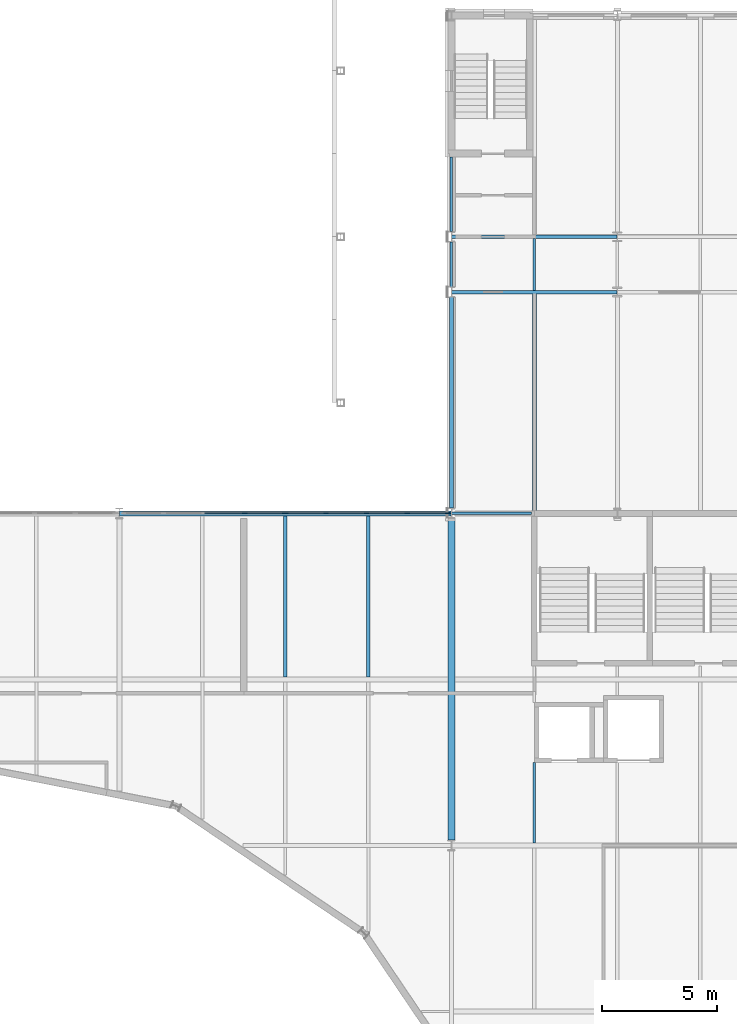
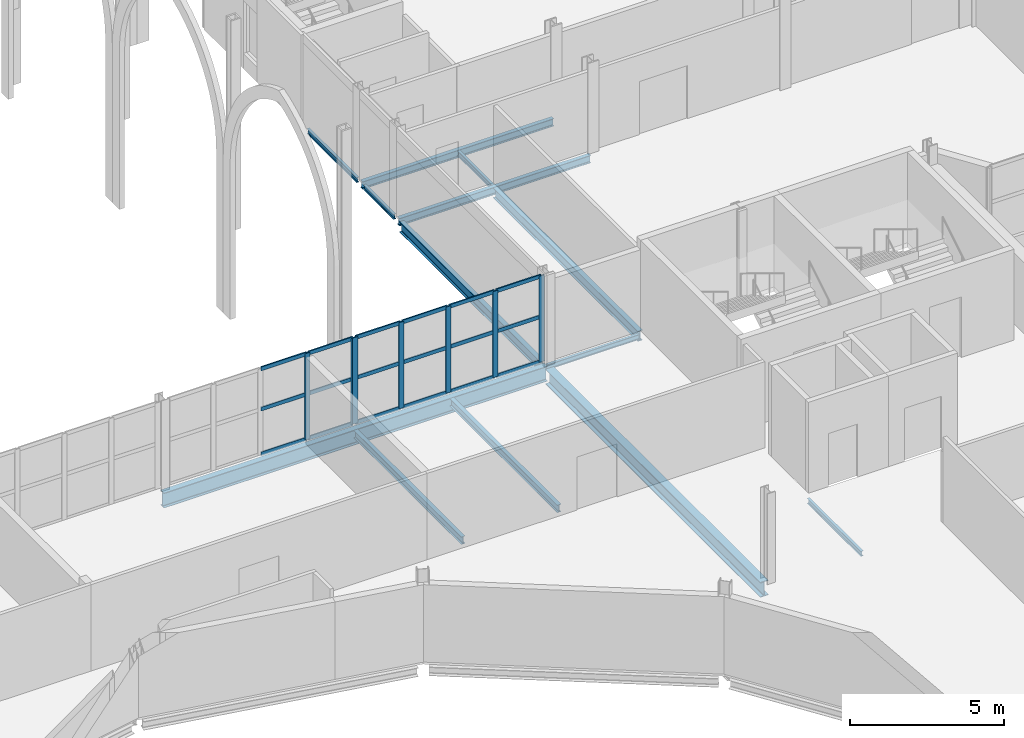
# One storey, part 44 of 124: 25 members, 13 beams, 2 elements without a shape of their own.
"""IFC4 building model written with IfcOpenShell, lengths in metres."""

import ifcopenshell
import ifcopenshell.guid

model = None  # the IFC model being written
_history = None  # IfcOwnerHistory: only IFC2X3 demands one
_inside = {}  # id of a spatial element -> (the spatial element, [elements in it])
_under = {}  # id of a project, library or spatial element -> (it, [spatial elements below it])
_declared = {}  # id of a project -> (the project, [libraries it declares])
_typed = {}  # id of a type object -> (the type object, [elements of that type])
_made_of = {}  # id of a material, layer set ... -> (it, [elements and type objects made of it])


def new_model(schema):
    """Start an empty IFC model of exactly this schema.

    Asked for "IFC4X3", IfcOpenShell would pick the latest addendum, in which some entities
    have other attributes; the version numbers below select the first issue.
    IFC2X3 requires an IfcOwnerHistory on every rooted entity: one is made here for all.
    """
    global model, _history
    if schema == "IFC4X3":
        model = ifcopenshell.file(schema_version=(4, 3, 0, 0))
    else:
        model = ifcopenshell.file(schema=schema)
    _inside.clear()
    _under.clear()
    _declared.clear()
    _typed.clear()
    _made_of.clear()
    _history = None
    if model.schema == "IFC2X3":
        org = make("IfcOrganization", Name="unknown")
        user = make(
            "IfcPersonAndOrganization",
            ThePerson=make("IfcPerson", FamilyName="unknown"),
            TheOrganization=org,
        )
        app = make(
            "IfcApplication",
            ApplicationDeveloper=org,
            Version="unknown",
            ApplicationFullName="unknown",
            ApplicationIdentifier="unknown",
        )
        _history = make(
            "IfcOwnerHistory",
            OwningUser=user,
            OwningApplication=app,
            ChangeAction="ADDED",
            CreationDate=0,
        )
    return model


def make(cls, **values):
    """One entity of the class cls with the attributes given. An attribute that is None is left unset."""
    return model.create_entity(
        cls, **{name: value for name, value in values.items() if value is not None}
    )


def rooted(cls, **values):
    """An entity with a GlobalId (a new one), such as an element, a storey or a relation."""
    return make(cls, GlobalId=ifcopenshell.guid.new(), OwnerHistory=_history, **values)


def si_unit(unit_type, name, prefix=None):
    """IfcSIUnit, for example si_unit("LENGTHUNIT", "METRE", prefix="MILLI")."""
    return make("IfcSIUnit", UnitType=unit_type, Prefix=prefix, Name=name)


def assignment(units):
    """IfcUnitAssignment: the units of a project."""
    return None if units is None else make("IfcUnitAssignment", Units=units)


def point(xyz):
    """IfcCartesianPoint."""
    return None if xyz is None else make("IfcCartesianPoint", Coordinates=xyz)


def direction(xyz):
    """IfcDirection."""
    return None if xyz is None else make("IfcDirection", DirectionRatios=xyz)


def frame(location, z_axis=None, x_axis=None):
    """IfcAxis2Placement3D, a coordinate frame: its origin and axes. An axis left out is left unset."""
    return make(
        "IfcAxis2Placement3D",
        Location=point(location),
        Axis=direction(z_axis),
        RefDirection=direction(x_axis),
    )


def frame_2d(location, x_axis=None):
    """IfcAxis2Placement2D, a coordinate frame in the plane: its origin and x axis."""
    return make(
        "IfcAxis2Placement2D", Location=point(location), RefDirection=direction(x_axis)
    )


def origin():
    """The frame at (0, 0, 0) with its axes left unset."""
    return frame((0.0, 0.0, 0.0))


def origin_2d():
    """The frame at (0, 0) in the plane with its x axis left unset."""
    return frame_2d((0.0, 0.0))


def place(relative_to, where):
    """IfcLocalPlacement: puts the frame where relative to a parent placement (None: the world)."""
    return make(
        "IfcLocalPlacement", PlacementRelTo=relative_to, RelativePlacement=where
    )


def context(
    kind, dimensions, precision=None, world=None, true_north=None, identifier=None
):
    """IfcGeometricRepresentationContext, for example the 3D "Model" context."""
    return make(
        "IfcGeometricRepresentationContext",
        ContextIdentifier=identifier,
        ContextType=kind,
        CoordinateSpaceDimension=dimensions,
        Precision=precision,
        WorldCoordinateSystem=world,
        TrueNorth=true_north,
    )


def subcontext(parent, identifier, kind, view, scale=None):
    """IfcGeometricRepresentationSubContext, for example "Body" below "Model"."""
    return make(
        "IfcGeometricRepresentationSubContext",
        ContextIdentifier=identifier,
        ContextType=kind,
        ParentContext=parent,
        TargetScale=scale,
        TargetView=view,
    )


def project(units=None, contexts=None):
    """IfcProject with its units and contexts."""
    return rooted(
        "IfcProject",
        Name="project",
        RepresentationContexts=contexts,
        UnitsInContext=assignment(units),
    )


def spatial(cls, under=None, at=None, **own):
    """A site, building, storey or space (cls), placed at a placement, below another one or the project."""
    s = rooted(cls, ObjectPlacement=at, **own)
    if under is not None:
        _under.setdefault(under.id(), (under, []))[1].append(s)
    return s


def profile(cls, at=None, kind="AREA", **sizes):
    """A parametric profile (cls). Its sizes go by their IFC names, for example OverallWidth=200.0."""
    return make(cls, ProfileType=kind, Position=at, **sizes)


def rectangle(**sizes):
    """IfcRectangleProfileDef."""
    return profile("IfcRectangleProfileDef", **sizes)


def i_section(**sizes):
    """IfcIShapeProfileDef."""
    return profile("IfcIShapeProfileDef", **sizes)


def extrude(swept, where, along, depth):
    """IfcExtrudedAreaSolid: the profile swept, set in the frame where, extruded along a direction by depth."""
    return make(
        "IfcExtrudedAreaSolid",
        SweptArea=swept,
        Position=where,
        ExtrudedDirection=direction(along),
        Depth=depth,
    )


def shape(context_of_items, identifier, shape_type, items):
    """IfcShapeRepresentation: the items that make up one representation, for example the "Body"."""
    return make(
        "IfcShapeRepresentation",
        ContextOfItems=context_of_items,
        RepresentationIdentifier=identifier,
        RepresentationType=shape_type,
        Items=items,
    )


def material(Name=None, Category=None):
    """IfcMaterial."""
    return make("IfcMaterial", Name=Name, Category=Category)


def material_profile(
    of_material, cross_section, Name=None, Category=None, Priority=None
):
    """IfcMaterialProfile: a cross section and its material."""
    return make(
        "IfcMaterialProfile",
        Name=Name,
        Material=of_material,
        Profile=cross_section,
        Priority=Priority,
        Category=Category,
    )


def profile_set(profiles, Name=None, composite=None):
    """IfcMaterialProfileSet."""
    return make(
        "IfcMaterialProfileSet",
        Name=Name,
        MaterialProfiles=profiles,
        CompositeProfile=composite,
    )


def made_of(thing, what):
    """Note that an element or type object is made of a material, layer set ...; save() writes the relation."""
    if what is not None:
        _made_of.setdefault(what.id(), (what, []))[1].append(thing)
    return thing


def type_object(cls, material=None, **own):
    """A type object (cls), such as IfcWallType, which elements share."""
    return made_of(rooted(cls, **own), material)


def element(
    cls,
    number,
    at=None,
    inside=None,
    cuts=None,
    type_object=None,
    material=None,
    context=None,
    identifier="Body",
    shape_type=None,
    held_by="IfcProductDefinitionShape",
    body=None,
    shapes=None,
    **own,
):
    """One element of the class cls, such as IfcWall. Its Tag is "e" and its number.

    at: its placement. inside: the storey or other place that contains it. cuts: it is an
    opening in that element (IfcRelVoidsElement). A single representation is given by context,
    identifier, shape_type and body (its items); several are given by shapes. held_by: the class
    of the entity that holds the representations. save() writes the other relations.
    """
    e = rooted(cls, Tag="e%d" % number, ObjectPlacement=at, **own)
    if body is not None:
        shapes = [shape(context, identifier, shape_type, body)]
    if shapes is not None:
        e.Representation = make(held_by, Representations=shapes)
    if inside is not None:
        _inside.setdefault(inside.id(), (inside, []))[1].append(e)
    if cuts is not None:
        rooted(
            "IfcRelVoidsElement", RelatingBuildingElement=cuts, RelatedOpeningElement=e
        )
    if type_object is not None:
        _typed.setdefault(type_object.id(), (type_object, []))[1].append(e)
    return made_of(e, material)


def aggregate(whole, parts):
    """IfcRelAggregates: a whole, such as a stair, and the parts it consists of."""
    return rooted("IfcRelAggregates", RelatingObject=whole, RelatedObjects=parts)


def save(model, path):
    """Write the relations noted so far, then the file.

    IfcRelAggregates (storeys below a building ...), IfcRelContainedInSpatialStructure (elements
    in a storey), IfcRelDefinesByType, IfcRelAssociatesMaterial and IfcRelDeclares: one each for
    every whole, place, type object, material and project.
    """
    for whole, parts in _under.values():
        aggregate(whole, parts)
    for where, things in _inside.values():
        rooted(
            "IfcRelContainedInSpatialStructure",
            RelatedElements=things,
            RelatingStructure=where,
        )
    for kind, things in _typed.values():
        rooted("IfcRelDefinesByType", RelatedObjects=things, RelatingType=kind)
    for what, things in _made_of.values():
        rooted("IfcRelAssociatesMaterial", RelatedObjects=things, RelatingMaterial=what)
    for by, libraries in _declared.values():
        rooted("IfcRelDeclares", RelatingContext=by, RelatedDefinitions=libraries)
    model.write(path)


model = new_model("IFC4")

# Units and contexts
model_context = context("Model", 3, precision=1e-05, world=origin(), true_north=direction((0.0, 1.0)))
body_context = subcontext(model_context, "Body", "Model", "MODEL_VIEW")
ifc_project = project(units=[si_unit("LENGTHUNIT", "METRE"), si_unit("AREAUNIT", "SQUARE_METRE"), si_unit("VOLUMEUNIT", "CUBIC_METRE"), si_unit("PLANEANGLEUNIT", "RADIAN"), si_unit("MASSUNIT", "GRAM", prefix="KILO")], contexts=[model_context])

# Site, building, storey
site_placement = place(None, origin())
site = spatial("IfcSite", under=ifc_project, at=site_placement, CompositionType="ELEMENT")
building_placement = place(site_placement, origin())
building = spatial("IfcBuilding", under=site, at=building_placement, Name="Kupolbacken Congress Centre", CompositionType="ELEMENT")
storey_placement = place(building_placement, frame((0.0, 0.0, 10.800048828125)))
storey = spatial("IfcBuildingStorey", under=building, at=storey_placement, Name="L03", CompositionType="ELEMENT", Elevation=10.800048828125)

# Beams
ifc_material_1 = material(Name="Steel S355", Category="steel")
ifc_material_profile_1 = material_profile(ifc_material_1, i_section(OverallWidth=0.10009765625, OverallDepth=0.199951171875, WebThickness=0.005615234375, FlangeThickness=0.008544921875, FilletRadius=0.011962890625, at=origin_2d()), Name="IPE 200")
ifc_profile_set_1 = profile_set([ifc_material_profile_1], Name="Steel S355")
beam_type_1 = type_object("IfcBeamType", Name="B01 beam IPE 200", PredefinedType="BEAM", material=ifc_profile_set_1)
beam_1_placement = place(storey_placement, frame((64.806884765625, 122.39990234375, -0.280029296875), z_axis=(1.0, 0.0, 0.0), x_axis=(0.0, 1.0, 0.0)))
element("IfcBeam", 1, at=beam_1_placement, inside=storey, type_object=beam_type_1, Name="S/floor/P/L03/R074", PredefinedType="BEAM", context=body_context, shape_type="SweptSolid", body=[
    extrude(i_section(OverallWidth=0.10009765625, OverallDepth=0.199951171875, WebThickness=0.005615234375, FlangeThickness=0.008544921875, FilletRadius=0.011962890625, at=origin_2d()), origin(), (0.0, 0.0, 1.0), 3.468017578125),
])
beam_2_placement = place(storey_placement, frame((68.39990234375, 108.110107421875, -0.280029296875), z_axis=(0.0, 1.0, 0.0), x_axis=(-1.0, 0.0, 0.0)))
element("IfcBeam", 2, at=beam_2_placement, inside=storey, type_object=beam_type_1, Name="S/floor/P/L03/S174", PredefinedType="BEAM", context=body_context, shape_type="SweptSolid", body=[
    extrude(i_section(OverallWidth=0.10009765625, OverallDepth=0.199951171875, WebThickness=0.005615234375, FlangeThickness=0.008544921875, FilletRadius=0.011962890625, at=origin_2d()), origin(), (0.0, 0.0, 1.0), 3.489990234375),
])
beam_3_placement = place(storey_placement, frame((64.800048828125, 132.22509765625, -0.280029296875), z_axis=(0.0, 1.0, 0.0), x_axis=(-1.0, 0.0, 0.0)))
element("IfcBeam", 3, at=beam_3_placement, inside=storey, type_object=beam_type_1, Name="S/floor/T/L03/S032", PredefinedType="BEAM", context=body_context, shape_type="SweptSolid", body=[
    extrude(i_section(OverallWidth=0.10009765625, OverallDepth=0.199951171875, WebThickness=0.005615234375, FlangeThickness=0.008544921875, FilletRadius=0.011962890625, at=origin_2d()), origin(), (0.0, 0.0, 1.0), 1.949951171875),
])
beam_4_placement = place(storey_placement, frame((64.800048828125, 134.625, -0.280029296875), z_axis=(0.0, 1.0, 0.0), x_axis=(-1.0, 0.0, 0.0)))
element("IfcBeam", 4, at=beam_4_placement, inside=storey, type_object=beam_type_1, Name="S/floor/T/L03/S033", PredefinedType="BEAM", context=body_context, shape_type="SweptSolid", body=[
    extrude(i_section(OverallWidth=0.10009765625, OverallDepth=0.199951171875, WebThickness=0.005615234375, FlangeThickness=0.008544921875, FilletRadius=0.011962890625, at=origin_2d()), origin(), (0.0, 0.0, 1.0), 3.22509765625),
])
beam_5_placement = place(storey_placement, frame((68.39990234375, 132.074951171875, -0.280029296875), z_axis=(0.0, 1.0, 0.0), x_axis=(-1.0, 0.0, 0.0)))
element("IfcBeam", 5, at=beam_5_placement, inside=storey, type_object=beam_type_1, Name="S/floor/T/L03/S035", PredefinedType="BEAM", context=body_context, shape_type="SweptSolid", body=[
    extrude(i_section(OverallWidth=0.10009765625, OverallDepth=0.199951171875, WebThickness=0.005615234375, FlangeThickness=0.008544921875, FilletRadius=0.011962890625, at=origin_2d()), origin(), (0.0, 0.0, 1.0), 2.25),
])
ifc_material_2 = material(Name="Steel S355", Category="steel")
ifc_material_profile_2 = material_profile(ifc_material_2, i_section(OverallWidth=0.14990234375, OverallDepth=0.300048828125, WebThickness=0.007080078125, FlangeThickness=0.0107421875, FilletRadius=0.014892578125, at=origin_2d()), Name="IPE 300")
ifc_profile_set_2 = profile_set([ifc_material_profile_2], Name="Steel S355")
beam_type_2 = type_object("IfcBeamType", Name="B04 beam IPE 300", PredefinedType="BEAM", material=ifc_profile_set_2)
for number, where, z_axis, x_axis, name in (
    (6, (57.60009765625, 115.31005859375, -0.330078125), (0.0, 1.0, 0.0), (-1.0, 0.0, 0.0), "S/floor/P/L03/S133"),
    (7, (61.199951171875, 115.31005859375, -0.330078125), (0.0, 1.0, 0.0), (-1.0, 0.0, 0.0), "S/floor/P/L03/S139"),
):
    element("IfcBeam", number, at=place(storey_placement, frame(where, z_axis=z_axis, x_axis=x_axis)), inside=storey, type_object=beam_type_2, Name=name, PredefinedType="BEAM", context=body_context, shape_type="SweptSolid", body=[
        extrude(i_section(OverallWidth=0.14990234375, OverallDepth=0.300048828125, WebThickness=0.007080078125, FlangeThickness=0.0107421875, FilletRadius=0.014892578125, at=origin_2d()), origin(), (0.0, 0.0, 1.0), 6.97998046875),
    ])
for number, where, z_axis, x_axis, name in (
    (8, (64.806884765625, 132.0, -0.330078125), (1.0, 0.0, 0.0), (0.0, 1.0, 0.0), "S/floor/T/L03/R007"),
    (9, (64.806884765625, 134.39990234375, -0.330078125), (1.0, 0.0, 0.0), (0.0, 1.0, 0.0), "S/floor/T/L03/R015"),
):
    element("IfcBeam", number, at=place(storey_placement, frame(where, z_axis=z_axis, x_axis=x_axis)), inside=storey, type_object=beam_type_2, Name=name, PredefinedType="BEAM", context=body_context, shape_type="SweptSolid", body=[
        extrude(i_section(OverallWidth=0.14990234375, OverallDepth=0.300048828125, WebThickness=0.007080078125, FlangeThickness=0.0107421875, FilletRadius=0.014892578125, at=origin_2d()), origin(), (0.0, 0.0, 1.0), 7.1767578125),
    ])
ifc_material_3 = material(Name="Steel S355", Category="steel")
ifc_material_profile_3 = material_profile(ifc_material_3, i_section(OverallWidth=0.179931640625, OverallDepth=0.39990234375, WebThickness=0.008544921875, FlangeThickness=0.013427734375, FilletRadius=0.02099609375, at=origin_2d()), Name="IPE 400")
ifc_profile_set_3 = profile_set([ifc_material_profile_3], Name="Steel S355")
beam_type_3 = type_object("IfcBeamType", Name="B07 beam IPE 400", PredefinedType="BEAM", material=ifc_profile_set_3)
beam_6_placement = place(storey_placement, frame((64.800048828125, 122.625, -0.380126953125), z_axis=(0.0, 1.0, 0.0), x_axis=(-1.0, 0.0, 0.0)))
element("IfcBeam", 10, at=beam_6_placement, inside=storey, type_object=beam_type_3, Name="S/floor/T/L03/S031", PredefinedType="BEAM", context=body_context, shape_type="SweptSolid", body=[
    extrude(i_section(OverallWidth=0.179931640625, OverallDepth=0.39990234375, WebThickness=0.008544921875, FlangeThickness=0.013427734375, FilletRadius=0.02099609375, at=origin_2d()), origin(), (0.0, 0.0, 1.0), 9.14990234375),
])
beam_7_placement = place(storey_placement, frame((68.39990234375, 122.52490234375, -0.380126953125), z_axis=(0.0, 1.0, 0.0), x_axis=(-1.0, 0.0, 0.0)))
element("IfcBeam", 11, at=beam_7_placement, inside=storey, type_object=beam_type_3, Name="S/floor/T/L03/S034", PredefinedType="BEAM", context=body_context, shape_type="SweptSolid", body=[
    extrude(i_section(OverallWidth=0.179931640625, OverallDepth=0.39990234375, WebThickness=0.008544921875, FlangeThickness=0.013427734375, FilletRadius=0.02099609375, at=origin_2d()), origin(), (0.0, 0.0, 1.0), 9.400146484375),
])
ifc_material_4 = material(Name="Steel S355", Category="steel")
ifc_material_profile_4 = material_profile(ifc_material_4, i_section(OverallWidth=0.219970703125, OverallDepth=0.60009765625, WebThickness=0.011962890625, FlangeThickness=0.01904296875, FilletRadius=0.02392578125, at=origin_2d()), Name="IPE 600")
ifc_profile_set_4 = profile_set([ifc_material_profile_4], Name="Steel S355")
beam_type_4 = type_object("IfcBeamType", Name="B11 beam IPE 600", PredefinedType="BEAM", material=ifc_profile_set_4)
beam_8_placement = place(storey_placement, frame((50.406982421875, 122.39990234375, -0.47998046875), z_axis=(1.0, 0.0, 0.0), x_axis=(0.0, 1.0, 0.0)))
element("IfcBeam", 12, at=beam_8_placement, inside=storey, type_object=beam_type_4, Name="S/floor/P/L03/R073", PredefinedType="BEAM", context=body_context, shape_type="SweptSolid", body=[
    extrude(i_section(OverallWidth=0.219970703125, OverallDepth=0.60009765625, WebThickness=0.011962890625, FlangeThickness=0.01904296875, FilletRadius=0.02392578125, at=origin_2d()), origin(), (0.0, 0.0, 1.0), 14.385986328125),
])
ifc_material_5 = material(Name="Steel S355", Category="steel")
ifc_material_profile_5 = material_profile(ifc_material_5, i_section(OverallWidth=0.300048828125, OverallDepth=0.60009765625, WebThickness=0.015380859375, FlangeThickness=0.030029296875, FilletRadius=0.027099609375, at=origin_2d()), Name="HEB 600")
ifc_profile_set_5 = profile_set([ifc_material_profile_5], Name="Steel S355")
beam_type_5 = type_object("IfcBeamType", Name="B15 beam HEB 600", PredefinedType="BEAM", material=ifc_profile_set_5)
beam_9_placement = place(storey_placement, frame((64.800048828125, 108.22509765625, -0.47998046875), z_axis=(0.0, 1.0, 0.0), x_axis=(-1.0, 0.0, 0.0)))
element("IfcBeam", 13, at=beam_9_placement, inside=storey, type_object=beam_type_5, Name="S/floor/P/L03/G031", PredefinedType="BEAM", context=body_context, shape_type="SweptSolid", body=[
    extrude(i_section(OverallWidth=0.300048828125, OverallDepth=0.60009765625, WebThickness=0.015380859375, FlangeThickness=0.030029296875, FilletRadius=0.027099609375, at=origin_2d()), origin(), (0.0, 0.0, 1.0), 13.949951171875),
])

# Curtain wall, members
ifc_material_6 = material(Name="Aluminium mullion-transom frame with glass", Category="aluminium")
curtain_wall_type = type_object("IfcCurtainWallType", Name="CW1 curtain wall 7200x3600", PredefinedType="NOTDEFINED", material=ifc_material_6)
curtain_wall_1_placement = place(storey_placement, origin())
curtain_wall_1 = element("IfcCurtainWall", 14, at=curtain_wall_1_placement, inside=storey, type_object=curtain_wall_type, Name="E/P/N/L03/374", PredefinedType="NOTDEFINED")
ifc_material_7 = material(Name="Aluminium alloy", Category="aluminium")
ifc_material_profile_6 = material_profile(ifc_material_7, rectangle(XDim=0.050048828125, YDim=0.199951171875, at=origin_2d()), Name="50 x 200")
ifc_profile_set_6 = profile_set([ifc_material_profile_6], Name="Aluminium alloy")
member_type_1 = type_object("IfcMemberType", Name="MU2 mullion 50x200", PredefinedType="MULLION", material=ifc_profile_set_6)
member_1_placement = place(storey_placement, frame((64.625, 122.39990234375, 0.0), z_axis=(0.0, 0.0, 1.0), x_axis=(0.0, -1.0, 0.0)))
member_1 = element("IfcMember", 15, at=member_1_placement, type_object=member_type_1, Name="CW1 mullion 1", PredefinedType="MULLION", context=body_context, shape_type="SweptSolid", body=[
    extrude(rectangle(XDim=0.050048828125, YDim=0.199951171875, at=origin_2d()), origin(), (0.0, 0.0, 1.0), 3.419921875),
])
member_2_placement = place(storey_placement, frame((62.887451171875, 122.39990234375, 0.0), z_axis=(0.0, 0.0, 1.0), x_axis=(0.0, -1.0, 0.0)))
member_2 = element("IfcMember", 16, at=member_2_placement, type_object=member_type_1, Name="CW1 mullion 2", PredefinedType="MULLION", context=body_context, shape_type="SweptSolid", body=[
    extrude(rectangle(XDim=0.050048828125, YDim=0.199951171875, at=origin_2d()), origin(), (0.0, 0.0, 1.0), 3.419921875),
])
member_3_placement = place(storey_placement, frame((61.125, 122.39990234375, 0.0), z_axis=(0.0, 0.0, 1.0), x_axis=(0.0, -1.0, 0.0)))
member_3 = element("IfcMember", 17, at=member_3_placement, type_object=member_type_1, Name="CW1 mullion 3", PredefinedType="MULLION", context=body_context, shape_type="SweptSolid", body=[
    extrude(rectangle(XDim=0.050048828125, YDim=0.199951171875, at=origin_2d()), origin(), (0.0, 0.0, 1.0), 3.419921875),
])
member_4_placement = place(storey_placement, frame((59.362548828125, 122.39990234375, 0.0), z_axis=(0.0, 0.0, 1.0), x_axis=(0.0, -1.0, 0.0)))
member_4 = element("IfcMember", 18, at=member_4_placement, type_object=member_type_1, Name="CW1 mullion 4", PredefinedType="MULLION", context=body_context, shape_type="SweptSolid", body=[
    extrude(rectangle(XDim=0.050048828125, YDim=0.199951171875, at=origin_2d()), origin(), (0.0, 0.0, 1.0), 3.419921875),
])
member_5_placement = place(storey_placement, frame((57.625, 122.39990234375, 0.0), z_axis=(0.0, 0.0, 1.0), x_axis=(0.0, -1.0, 0.0)))
member_5 = element("IfcMember", 19, at=member_5_placement, type_object=member_type_1, Name="CW1 mullion 5", PredefinedType="MULLION", context=body_context, shape_type="SweptSolid", body=[
    extrude(rectangle(XDim=0.050048828125, YDim=0.199951171875, at=origin_2d()), origin(), (0.0, 0.0, 1.0), 3.419921875),
])

curtain_wall_2_placement = place(storey_placement, origin())
curtain_wall_2 = element("IfcCurtainWall", 20, at=curtain_wall_2_placement, inside=storey, type_object=curtain_wall_type, Name="E/P/N/L03/375", PredefinedType="NOTDEFINED")
member_6_placement = place(storey_placement, frame((57.574951171875, 122.39990234375, 0.0), z_axis=(0.0, 0.0, 1.0), x_axis=(0.0, -1.0, 0.0)))
member_6 = element("IfcMember", 21, at=member_6_placement, type_object=member_type_1, Name="CW1 mullion 1", PredefinedType="MULLION", context=body_context, shape_type="SweptSolid", body=[
    extrude(rectangle(XDim=0.050048828125, YDim=0.199951171875, at=origin_2d()), origin(), (0.0, 0.0, 1.0), 3.419921875),
])
member_7_placement = place(storey_placement, frame((55.83740234375, 122.39990234375, 0.0), z_axis=(0.0, 0.0, 1.0), x_axis=(0.0, -1.0, 0.0)))
member_7 = element("IfcMember", 22, at=member_7_placement, type_object=member_type_1, Name="CW1 mullion 2", PredefinedType="MULLION", context=body_context, shape_type="SweptSolid", body=[
    extrude(rectangle(XDim=0.050048828125, YDim=0.199951171875, at=origin_2d()), origin(), (0.0, 0.0, 1.0), 3.419921875),
])

# Member
ifc_material_8 = material(Name="Aluminium alloy", Category="aluminium")
ifc_material_profile_7 = material_profile(ifc_material_8, rectangle(XDim=0.050048828125, YDim=0.14990234375, at=origin_2d()), Name="50 x 150")
ifc_profile_set_7 = profile_set([ifc_material_profile_7], Name="Aluminium alloy")
member_type_2 = type_object("IfcMemberType", Name="TR2 transom 50x150", PredefinedType="MULLION", material=ifc_profile_set_7)
member_8_placement = place(storey_placement, frame((64.60009765625, 122.39990234375, 0.02490234375), z_axis=(-1.0, 0.0, 0.0), x_axis=(0.0, -1.0, 0.0)))
member_8 = element("IfcMember", 23, at=member_8_placement, type_object=member_type_2, Name="CW1 transom 1.1", PredefinedType="MULLION", context=body_context, shape_type="SweptSolid", body=[
    extrude(rectangle(XDim=0.050048828125, YDim=0.14990234375, at=origin_2d()), origin(), (0.0, 0.0, 1.0), 1.6875),
])

member_9_placement = place(storey_placement, frame((64.60009765625, 122.39990234375, 1.800048828125), z_axis=(-1.0, 0.0, 0.0), x_axis=(0.0, -1.0, 0.0)))
member_9 = element("IfcMember", 24, at=member_9_placement, type_object=member_type_2, Name="CW1 transom 1.2", PredefinedType="MULLION", context=body_context, shape_type="SweptSolid", body=[
    extrude(rectangle(XDim=0.050048828125, YDim=0.14990234375, at=origin_2d()), origin(), (0.0, 0.0, 1.0), 1.6875),
])

member_10_placement = place(storey_placement, frame((64.60009765625, 122.39990234375, 3.39501953125), z_axis=(-1.0, 0.0, 0.0), x_axis=(0.0, -1.0, 0.0)))
member_10 = element("IfcMember", 25, at=member_10_placement, type_object=member_type_2, Name="CW1 transom 1.3", PredefinedType="MULLION", context=body_context, shape_type="SweptSolid", body=[
    extrude(rectangle(XDim=0.050048828125, YDim=0.14990234375, at=origin_2d()), origin(), (0.0, 0.0, 1.0), 1.6875),
])

member_11_placement = place(storey_placement, frame((62.862548828125, 122.39990234375, 0.02490234375), z_axis=(-1.0, 0.0, 0.0), x_axis=(0.0, -1.0, 0.0)))
member_11 = element("IfcMember", 26, at=member_11_placement, type_object=member_type_2, Name="CW1 transom 2.1", PredefinedType="MULLION", context=body_context, shape_type="SweptSolid", body=[
    extrude(rectangle(XDim=0.050048828125, YDim=0.14990234375, at=origin_2d()), origin(), (0.0, 0.0, 1.0), 1.712646484375),
])

member_12_placement = place(storey_placement, frame((62.862548828125, 122.39990234375, 1.800048828125), z_axis=(-1.0, 0.0, 0.0), x_axis=(0.0, -1.0, 0.0)))
member_12 = element("IfcMember", 27, at=member_12_placement, type_object=member_type_2, Name="CW1 transom 2.2", PredefinedType="MULLION", context=body_context, shape_type="SweptSolid", body=[
    extrude(rectangle(XDim=0.050048828125, YDim=0.14990234375, at=origin_2d()), origin(), (0.0, 0.0, 1.0), 1.712646484375),
])

member_13_placement = place(storey_placement, frame((62.862548828125, 122.39990234375, 3.39501953125), z_axis=(-1.0, 0.0, 0.0), x_axis=(0.0, -1.0, 0.0)))
member_13 = element("IfcMember", 28, at=member_13_placement, type_object=member_type_2, Name="CW1 transom 2.3", PredefinedType="MULLION", context=body_context, shape_type="SweptSolid", body=[
    extrude(rectangle(XDim=0.050048828125, YDim=0.14990234375, at=origin_2d()), origin(), (0.0, 0.0, 1.0), 1.712646484375),
])

member_14_placement = place(storey_placement, frame((61.10009765625, 122.39990234375, 0.02490234375), z_axis=(-1.0, 0.0, 0.0), x_axis=(0.0, -1.0, 0.0)))
member_14 = element("IfcMember", 29, at=member_14_placement, type_object=member_type_2, Name="CW1 transom 3.1", PredefinedType="MULLION", context=body_context, shape_type="SweptSolid", body=[
    extrude(rectangle(XDim=0.050048828125, YDim=0.14990234375, at=origin_2d()), origin(), (0.0, 0.0, 1.0), 1.712646484375),
])

member_15_placement = place(storey_placement, frame((61.10009765625, 122.39990234375, 1.800048828125), z_axis=(-1.0, 0.0, 0.0), x_axis=(0.0, -1.0, 0.0)))
member_15 = element("IfcMember", 30, at=member_15_placement, type_object=member_type_2, Name="CW1 transom 3.2", PredefinedType="MULLION", context=body_context, shape_type="SweptSolid", body=[
    extrude(rectangle(XDim=0.050048828125, YDim=0.14990234375, at=origin_2d()), origin(), (0.0, 0.0, 1.0), 1.712646484375),
])

member_16_placement = place(storey_placement, frame((61.10009765625, 122.39990234375, 3.39501953125), z_axis=(-1.0, 0.0, 0.0), x_axis=(0.0, -1.0, 0.0)))
member_16 = element("IfcMember", 31, at=member_16_placement, type_object=member_type_2, Name="CW1 transom 3.3", PredefinedType="MULLION", context=body_context, shape_type="SweptSolid", body=[
    extrude(rectangle(XDim=0.050048828125, YDim=0.14990234375, at=origin_2d()), origin(), (0.0, 0.0, 1.0), 1.712646484375),
])

member_17_placement = place(storey_placement, frame((59.33740234375, 122.39990234375, 0.02490234375), z_axis=(-1.0, 0.0, 0.0), x_axis=(0.0, -1.0, 0.0)))
member_17 = element("IfcMember", 32, at=member_17_placement, type_object=member_type_2, Name="CW1 transom 4.1", PredefinedType="MULLION", context=body_context, shape_type="SweptSolid", body=[
    extrude(rectangle(XDim=0.050048828125, YDim=0.14990234375, at=origin_2d()), origin(), (0.0, 0.0, 1.0), 1.6875),
])

member_18_placement = place(storey_placement, frame((59.33740234375, 122.39990234375, 1.800048828125), z_axis=(-1.0, 0.0, 0.0), x_axis=(0.0, -1.0, 0.0)))
member_18 = element("IfcMember", 33, at=member_18_placement, type_object=member_type_2, Name="CW1 transom 4.2", PredefinedType="MULLION", context=body_context, shape_type="SweptSolid", body=[
    extrude(rectangle(XDim=0.050048828125, YDim=0.14990234375, at=origin_2d()), origin(), (0.0, 0.0, 1.0), 1.6875),
])

member_19_placement = place(storey_placement, frame((59.33740234375, 122.39990234375, 3.39501953125), z_axis=(-1.0, 0.0, 0.0), x_axis=(0.0, -1.0, 0.0)))
member_19 = element("IfcMember", 34, at=member_19_placement, type_object=member_type_2, Name="CW1 transom 4.3", PredefinedType="MULLION", context=body_context, shape_type="SweptSolid", body=[
    extrude(rectangle(XDim=0.050048828125, YDim=0.14990234375, at=origin_2d()), origin(), (0.0, 0.0, 1.0), 1.6875),
])

aggregate(curtain_wall_1, [member_1, member_2, member_3, member_4, member_5, member_8, member_9, member_10, member_11, member_12, member_13, member_14, member_15, member_16, member_17, member_18, member_19])

member_20_placement = place(storey_placement, frame((57.550048828125, 122.39990234375, 0.02490234375), z_axis=(-1.0, 0.0, 0.0), x_axis=(0.0, -1.0, 0.0)))
member_20 = element("IfcMember", 35, at=member_20_placement, type_object=member_type_2, Name="CW1 transom 1.1", PredefinedType="MULLION", context=body_context, shape_type="SweptSolid", body=[
    extrude(rectangle(XDim=0.050048828125, YDim=0.14990234375, at=origin_2d()), origin(), (0.0, 0.0, 1.0), 1.6875),
])

member_21_placement = place(storey_placement, frame((57.550048828125, 122.39990234375, 1.800048828125), z_axis=(-1.0, 0.0, 0.0), x_axis=(0.0, -1.0, 0.0)))
member_21 = element("IfcMember", 36, at=member_21_placement, type_object=member_type_2, Name="CW1 transom 1.2", PredefinedType="MULLION", context=body_context, shape_type="SweptSolid", body=[
    extrude(rectangle(XDim=0.050048828125, YDim=0.14990234375, at=origin_2d()), origin(), (0.0, 0.0, 1.0), 1.6875),
])

member_22_placement = place(storey_placement, frame((57.550048828125, 122.39990234375, 3.39501953125), z_axis=(-1.0, 0.0, 0.0), x_axis=(0.0, -1.0, 0.0)))
member_22 = element("IfcMember", 37, at=member_22_placement, type_object=member_type_2, Name="CW1 transom 1.3", PredefinedType="MULLION", context=body_context, shape_type="SweptSolid", body=[
    extrude(rectangle(XDim=0.050048828125, YDim=0.14990234375, at=origin_2d()), origin(), (0.0, 0.0, 1.0), 1.6875),
])

member_23_placement = place(storey_placement, frame((55.8125, 122.39990234375, 0.02490234375), z_axis=(-1.0, 0.0, 0.0), x_axis=(0.0, -1.0, 0.0)))
member_23 = element("IfcMember", 38, at=member_23_placement, type_object=member_type_2, Name="CW1 transom 2.1", PredefinedType="MULLION", context=body_context, shape_type="SweptSolid", body=[
    extrude(rectangle(XDim=0.050048828125, YDim=0.14990234375, at=origin_2d()), origin(), (0.0, 0.0, 1.0), 1.71240234375),
])

member_24_placement = place(storey_placement, frame((55.8125, 122.39990234375, 1.800048828125), z_axis=(-1.0, 0.0, 0.0), x_axis=(0.0, -1.0, 0.0)))
member_24 = element("IfcMember", 39, at=member_24_placement, type_object=member_type_2, Name="CW1 transom 2.2", PredefinedType="MULLION", context=body_context, shape_type="SweptSolid", body=[
    extrude(rectangle(XDim=0.050048828125, YDim=0.14990234375, at=origin_2d()), origin(), (0.0, 0.0, 1.0), 1.71240234375),
])

member_25_placement = place(storey_placement, frame((55.8125, 122.39990234375, 3.39501953125), z_axis=(-1.0, 0.0, 0.0), x_axis=(0.0, -1.0, 0.0)))
member_25 = element("IfcMember", 40, at=member_25_placement, type_object=member_type_2, Name="CW1 transom 2.3", PredefinedType="MULLION", context=body_context, shape_type="SweptSolid", body=[
    extrude(rectangle(XDim=0.050048828125, YDim=0.14990234375, at=origin_2d()), origin(), (0.0, 0.0, 1.0), 1.71240234375),
])

aggregate(curtain_wall_2, [member_6, member_7, member_20, member_21, member_22, member_23, member_24, member_25])

save(model, "model.ifc")
